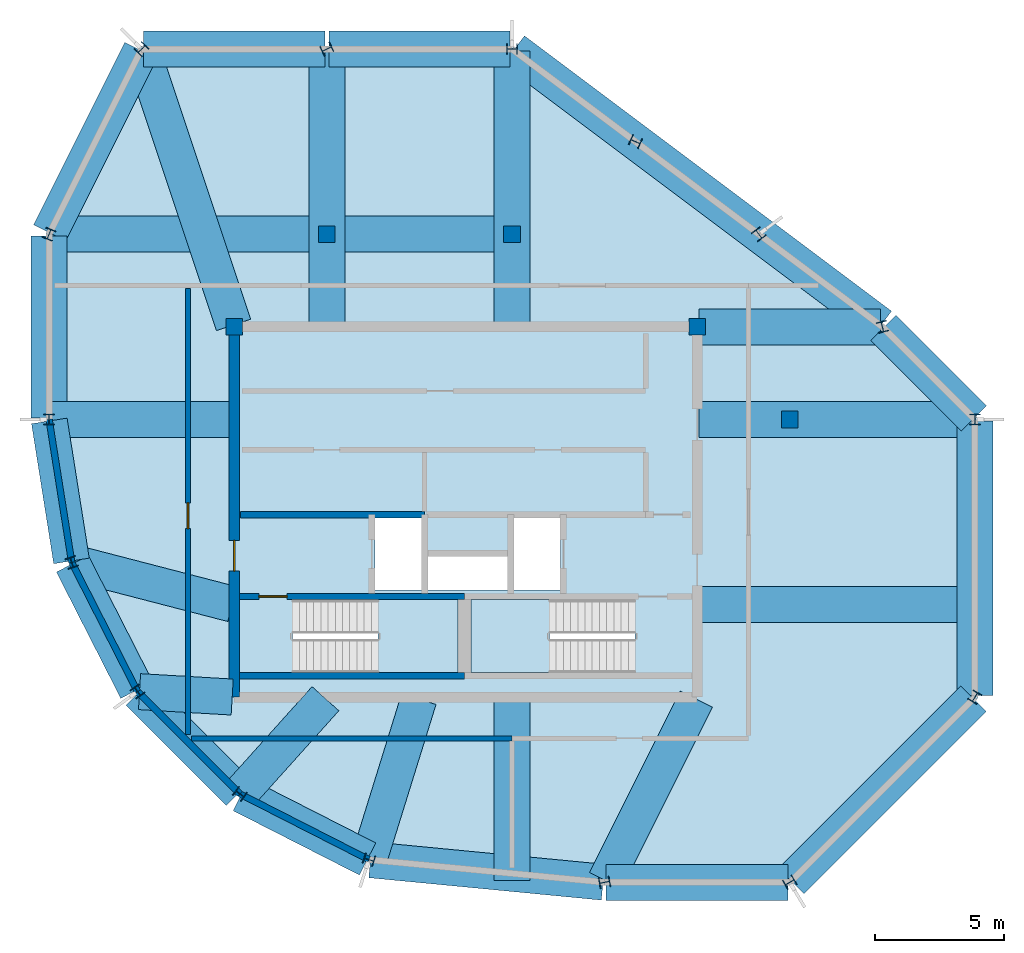
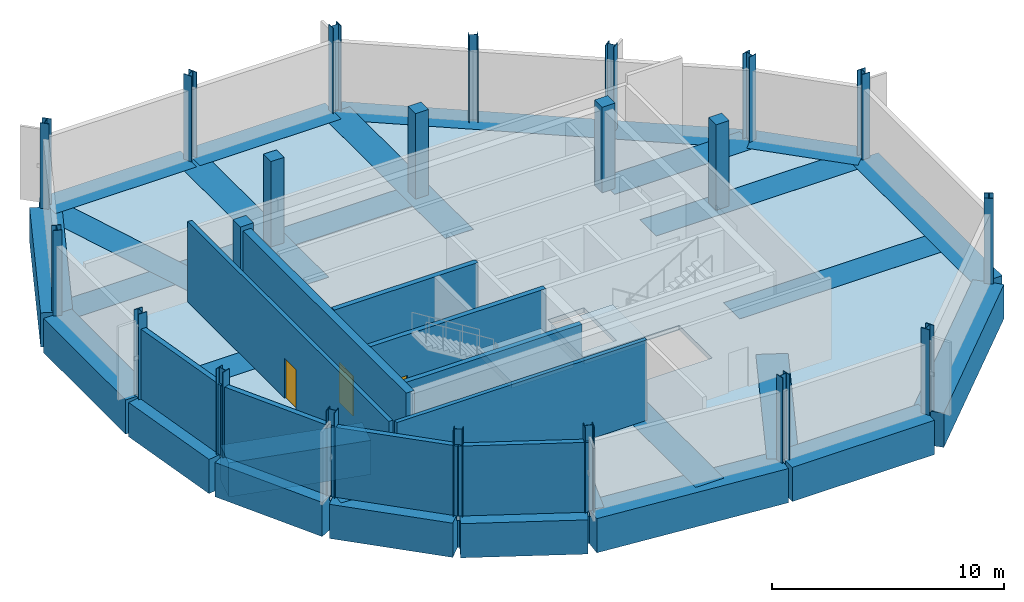
# One storey, part 1 of 5: 28 beams, 21 columns, 10 walls, 3 doors, 3 slabs, 3 openings, 2 elements without a shape of their own.
"""IFC4 building model written with IfcOpenShell, lengths in metres."""

from ifc_helpers import new_model, si_unit, direction, frame, frame_2d, origin, origin_2d, place, context, subcontext, project, spatial, polyline, rectangle, i_section, outline, extrude, material, layer, layer_set, material_profile, profile_set, type_object, element, fill, aggregate, save


model = new_model("IFC4")

# Units and contexts
model_context = context("Model", 3, precision=1e-05, world=origin(), true_north=direction((0.0, 1.0)))
body_context = subcontext(model_context, "Body", "Model", "MODEL_VIEW")
ifc_project = project(units=[si_unit("LENGTHUNIT", "METRE"), si_unit("AREAUNIT", "SQUARE_METRE"), si_unit("VOLUMEUNIT", "CUBIC_METRE"), si_unit("PLANEANGLEUNIT", "RADIAN"), si_unit("MASSUNIT", "GRAM", prefix="KILO")], contexts=[model_context])

# Site, building, storey
site_placement = place(None, origin())
site = spatial("IfcSite", under=ifc_project, at=site_placement, CompositionType="ELEMENT")
building_placement = place(site_placement, origin())
building = spatial("IfcBuilding", under=site, at=building_placement, Name="Solnavia Interchange Tower", CompositionType="ELEMENT")
storey_placement = place(building_placement, frame((0.0, 0.0, 304.199951171875)))
storey = spatial("IfcBuildingStorey", under=building, at=storey_placement, Name="C01", CompositionType="ELEMENT", Elevation=304.199951171875)

# Columns
ifc_material_1 = material(Name="Concrete C50/60", Category="concrete")
ifc_material_profile_1 = material_profile(ifc_material_1, rectangle(XDim=0.64990234375, YDim=0.64990234375, at=origin_2d()), Name="RC 650x650")
ifc_profile_set_1 = profile_set([ifc_material_profile_1], Name="Concrete C50/60")
column_type_1 = type_object("IfcColumnType", Name="Col-RC-650x650", PredefinedType="COLUMN", material=ifc_profile_set_1)
for number, where, z_axis, x_axis, name in (
    (1, (36.0, 21.60009765625, 0.0), (0.0, 0.0, 1.0), (1.0, 0.0, 0.0), "COL-C01-IN01 Crown inner plant column"),
    (2, (32.39990234375, 25.199951171875, 0.0), (0.0, 0.0, 1.0), (1.0, 0.0, 0.0), "COL-C01-IN02 Crown inner plant column"),
    (3, (25.199951171875, 28.800048828125, 0.0), (0.0, 0.0, 1.0), (1.0, 0.0, 0.0), "COL-C01-IN03 Crown inner plant column"),
    (4, (18.0, 28.800048828125, 0.0), (0.0, 0.0, 1.0), (1.0, 0.0, 0.0), "COL-C01-IN04 Crown inner plant column"),
    (5, (14.39990234375, 25.199951171875, 0.0), (0.0, 0.0, 1.0), (1.0, 0.0, 0.0), "COL-C01-IN05 Crown inner plant column"),
):
    element("IfcColumn", number, at=place(storey_placement, frame(where, z_axis=z_axis, x_axis=x_axis)), inside=storey, type_object=column_type_1, Name=name, PredefinedType="COLUMN", context=body_context, shape_type="SweptSolid", body=[
        extrude(rectangle(XDim=0.64990234375, YDim=0.64990234375, at=origin_2d()), origin(), (0.0, 0.0, 1.0), 4.5),
    ])
ifc_material_2 = material(Name="Steel S460", Category="steel")
ifc_material_profile_2 = material_profile(ifc_material_2, i_section(OverallWidth=0.405029296875, OverallDepth=0.4169921875, WebThickness=0.01806640625, FlangeThickness=0.028564453125, FilletRadius=0.014892578125, at=origin_2d()), Name="HD 400x262")
ifc_profile_set_2 = profile_set([ifc_material_profile_2], Name="Steel S460")
column_type_2 = type_object("IfcColumnType", Name="CrownFrame-Col-HD400x262", PredefinedType="COLUMN", material=ifc_profile_set_2)
for number, where, z_axis, x_axis, name in (
    (6, (43.199951171875, 21.60009765625, 0.0), (0.0, 0.0, 1.0), (1.0, 0.0, 0.0), "COL-C01-CF01 CROWN FRAME ring column"),
    (7, (39.60009765625, 25.199951171875, 0.0), (0.0, 0.0, 1.0), (0.97012659649, 0.242599230795, 0.0), "COL-C01-CF02 CROWN FRAME ring column"),
    (8, (34.800048828125, 28.800048828125, 0.0), (0.0, 0.0, 1.0), (0.799998928149, 0.600001429133, 0.0), "COL-C01-CF03 CROWN FRAME ring column"),
    (9, (30.0, 32.39990234375, 0.0), (0.0, 0.0, 1.0), (0.406098768964, 0.913829190738, 0.0), "COL-C01-CF04 CROWN FRAME ring column"),
    (10, (25.199951171875, 36.0, 0.0), (0.0, 0.0, 1.0), (0.0, 1.0, 0.0), "COL-C01-CF05 CROWN FRAME ring column"),
    (11, (18.0, 36.0, 0.0), (0.0, 0.0, 1.0), (-0.447290848419, 0.89438856037, 0.0), "COL-C01-CF06 CROWN FRAME ring column"),
    (12, (10.800048828125, 36.0, 0.0), (0.0, 0.0, 1.0), (-0.707106781187, 0.707106781187, 0.0), "COL-C01-CF07 CROWN FRAME ring column"),
    (13, (7.199951171875, 28.800048828125, 0.0), (0.0, 0.0, 1.0), (-0.928485826881, 0.37136783555, 0.0), "COL-C01-CF08 CROWN FRAME ring column"),
    (14, (7.199951171875, 21.60009765625, 0.0), (0.0, 0.0, 1.0), (-1.0, 0.0, 0.0), "COL-C01-CF09 CROWN FRAME ring column"),
    (15, (8.0810546875, 16.0380859375, 0.0), (0.0, 0.0, 1.0), (-0.951056516295, -0.309016994375, 0.0), "COL-C01-CF10 CROWN FRAME ring column"),
    (16, (10.637939453125, 11.02001953125, 0.0), (0.0, 0.0, 1.0), (-0.809016994375, -0.587785252292, 0.0), "COL-C01-CF11 CROWN FRAME ring column"),
    (17, (14.6201171875, 7.0380859375, 0.0), (0.0, 0.0, 1.0), (-0.587785252292, -0.809016994375, 0.0), "COL-C01-CF12 CROWN FRAME ring column"),
    (18, (19.637939453125, 4.48095703125, 0.0), (0.0, 0.0, 1.0), (-0.309016994375, -0.951056516295, 0.0), "COL-C01-CF13 CROWN FRAME ring column"),
    (19, (28.800048828125, 3.60009765625, 0.0), (0.0, 0.0, 1.0), (0.196117290802, -0.980580444557, 0.0), "COL-C01-CF14 CROWN FRAME ring column"),
    (20, (36.0, 3.60009765625, 0.0), (0.0, 0.0, 1.0), (0.514439533782, -0.857526656194, 0.0), "COL-C01-CF15 CROWN FRAME ring column"),
    (21, (43.199951171875, 10.800048828125, 0.0), (0.0, 0.0, 1.0), (0.857526656194, -0.514439533782, 0.0), "COL-C01-CF16 CROWN FRAME ring column"),
):
    element("IfcColumn", number, at=place(storey_placement, frame(where, z_axis=z_axis, x_axis=x_axis)), inside=storey, type_object=column_type_2, Name=name, PredefinedType="COLUMN", context=body_context, shape_type="SweptSolid", body=[
        extrude(i_section(OverallWidth=0.405029296875, OverallDepth=0.4169921875, WebThickness=0.01806640625, FlangeThickness=0.028564453125, FilletRadius=0.014892578125, at=origin_2d()), origin(), (0.0, 0.0, 1.0), 4.5),
    ])

# Beams
ifc_material_3 = material(Name="Concrete C60/75", Category="concrete")
ifc_material_profile_3 = material_profile(ifc_material_3, rectangle(XDim=1.39990234375, YDim=1.800048828125, at=origin_2d()), Name="RC 1400x1800")
ifc_profile_set_3 = profile_set([ifc_material_profile_3], Name="Concrete C60/75")
beam_type = type_object("IfcBeamType", Name="Beam-Transfer-RC1400x1800", PredefinedType="BEAM", material=ifc_profile_set_3)
beam_1_placement = place(storey_placement, frame((39.535888671875, 25.248046875, -0.89990234375), z_axis=(-0.800003284411, 0.599995620761, 0.0), x_axis=(-0.599995620761, -0.800003284411, 0.0)))
element("IfcBeam", 22, at=beam_1_placement, inside=storey, type_object=beam_type, Name="TRB-C01-01 Crown base primary transfer girder", PredefinedType="BEAM", context=body_context, shape_type="SweptSolid", body=[
    extrude(rectangle(XDim=1.39990234375, YDim=1.800048828125, at=origin_2d()), origin(), (0.0, 0.0, 1.0), 17.83984375),
])
beam_2_placement = place(storey_placement, frame((32.47998046875, 25.199951171875, -0.89990234375), z_axis=(1.0, 0.0, 0.0), x_axis=(0.0, 1.0, 0.0)))
element("IfcBeam", 23, at=beam_2_placement, inside=storey, type_object=beam_type, Name="TRB-C01-02 Crown base primary transfer girder", PredefinedType="BEAM", context=body_context, shape_type="SweptSolid", body=[
    extrude(rectangle(XDim=1.39990234375, YDim=1.800048828125, at=origin_2d()), origin(), (0.0, 0.0, 1.0), 7.0400390625),
])
for number, where, z_axis, x_axis, name in (
    (24, (25.199951171875, 25.280029296875, -0.89990234375), (0.0, 1.0, 0.0), (-1.0, 0.0, 0.0), "TRB-C01-03 Crown base primary transfer girder"),
    (25, (18.0, 25.280029296875, -0.89990234375), (0.0, 1.0, 0.0), (-1.0, 0.0, 0.0), "TRB-C01-04 Crown base primary transfer girder"),
):
    element("IfcBeam", number, at=place(storey_placement, frame(where, z_axis=z_axis, x_axis=x_axis)), inside=storey, type_object=beam_type, Name=name, PredefinedType="BEAM", context=body_context, shape_type="SweptSolid", body=[
        extrude(rectangle(XDim=1.39990234375, YDim=1.800048828125, at=origin_2d()), origin(), (0.0, 0.0, 1.0), 10.639892578125),
    ])
beam_3_placement = place(storey_placement, frame((14.374755859375, 25.27587890625, -0.89990234375), z_axis=(-0.316240816712, 0.948678947719, 0.0), x_axis=(-0.948678947719, -0.316240816712, 0.0)))
element("IfcBeam", 26, at=beam_3_placement, inside=storey, type_object=beam_type, Name="TRB-C01-05 Crown base primary transfer girder", PredefinedType="BEAM", context=body_context, shape_type="SweptSolid", body=[
    extrude(rectangle(XDim=1.39990234375, YDim=1.800048828125, at=origin_2d()), origin(), (0.0, 0.0, 1.0), 11.22412109375),
])
for number, where, z_axis, x_axis, name in (
    (27, (10.8798828125, 36.0, -0.89990234375), (1.0, 0.0, 0.0), (0.0, 1.0, 0.0), "TRB-C01-06 Crown base primary transfer girder"),
    (28, (18.080078125, 36.0, -0.89990234375), (1.0, 0.0, 0.0), (0.0, 1.0, 0.0), "TRB-C01-07 Crown base primary transfer girder"),
):
    element("IfcBeam", number, at=place(storey_placement, frame(where, z_axis=z_axis, x_axis=x_axis)), inside=storey, type_object=beam_type, Name=name, PredefinedType="BEAM", context=body_context, shape_type="SweptSolid", body=[
        extrude(rectangle(XDim=1.39990234375, YDim=1.800048828125, at=origin_2d()), origin(), (0.0, 0.0, 1.0), 7.0400390625),
    ])
beam_4_placement = place(storey_placement, frame((7.280029296875, 28.800048828125, -0.89990234375), z_axis=(1.0, 0.0, 0.0), x_axis=(0.0, 1.0, 0.0)))
element("IfcBeam", 29, at=beam_4_placement, inside=storey, type_object=beam_type, Name="TRB-C01-08 Crown base primary transfer girder", PredefinedType="BEAM", context=body_context, shape_type="SweptSolid", body=[
    extrude(rectangle(XDim=1.39990234375, YDim=1.800048828125, at=origin_2d()), origin(), (0.0, 0.0, 1.0), 17.840087890625),
])
beam_5_placement = place(storey_placement, frame((7.280029296875, 21.60009765625, -0.89990234375), z_axis=(1.0, 0.0, 0.0), x_axis=(0.0, 1.0, 0.0)))
element("IfcBeam", 30, at=beam_5_placement, inside=storey, type_object=beam_type, Name="TRB-C01-09 Crown base primary transfer girder", PredefinedType="BEAM", context=body_context, shape_type="SweptSolid", body=[
    extrude(rectangle(XDim=1.39990234375, YDim=1.800048828125, at=origin_2d()), origin(), (0.0, 0.0, 1.0), 7.0400390625),
])
beam_6_placement = place(storey_placement, frame((32.47998046875, 21.60009765625, -0.89990234375), z_axis=(1.0, 0.0, 0.0), x_axis=(0.0, 1.0, 0.0)))
element("IfcBeam", 31, at=beam_6_placement, inside=storey, type_object=beam_type, Name="TRB-C01-10 Crown base primary transfer girder", PredefinedType="BEAM", context=body_context, shape_type="SweptSolid", body=[
    extrude(rectangle(XDim=1.39990234375, YDim=1.800048828125, at=origin_2d()), origin(), (0.0, 0.0, 1.0), 10.64013671875),
])
beam_7_placement = place(storey_placement, frame((8.158447265625, 16.017822265625, -0.89990234375), z_axis=(0.968013454296, -0.250898290752, 0.0), x_axis=(0.250898290752, 0.968013454296, 0.0)))
element("IfcBeam", 32, at=beam_7_placement, inside=storey, type_object=beam_type, Name="TRB-C01-11 Crown base primary transfer girder", PredefinedType="BEAM", context=body_context, shape_type="SweptSolid", body=[
    extrude(rectangle(XDim=1.39990234375, YDim=1.800048828125, at=origin_2d()), origin(), (0.0, 0.0, 1.0), 6.36767578125),
])
beam_8_placement = place(storey_placement, frame((10.718017578125, 11.015380859375, -0.89990234375), z_axis=(0.998293684387, -0.058392805316, 0.0), x_axis=(0.058392805316, 0.998293684387, 0.0)))
element("IfcBeam", 33, at=beam_8_placement, inside=storey, type_object=beam_type, Name="TRB-C01-12 Crown base primary transfer girder", PredefinedType="BEAM", context=body_context, shape_type="SweptSolid", body=[
    extrude(rectangle(XDim=1.39990234375, YDim=1.800048828125, at=origin_2d()), origin(), (0.0, 0.0, 1.0), 3.608154296875),
])
beam_9_placement = place(storey_placement, frame((14.673583984375, 7.097412109375, -0.89990234375), z_axis=(0.668308965811, 0.74388381231, 0.0), x_axis=(-0.74388381231, 0.668308965811, 0.0)))
element("IfcBeam", 34, at=beam_9_placement, inside=storey, type_object=beam_type, Name="TRB-C01-13 Crown base primary transfer girder", PredefinedType="BEAM", context=body_context, shape_type="SweptSolid", body=[
    extrude(rectangle(XDim=1.39990234375, YDim=1.800048828125, at=origin_2d()), origin(), (0.0, 0.0, 1.0), 4.8974609375),
])
beam_10_placement = place(storey_placement, frame((19.66162109375, 4.557373046875, -0.89990234375), z_axis=(0.29655857839, 0.955014664591, 0.0), x_axis=(-0.955014664591, 0.29655857839, 0.0)))
element("IfcBeam", 35, at=beam_10_placement, inside=storey, type_object=beam_type, Name="TRB-C01-14 Crown base primary transfer girder", PredefinedType="BEAM", context=body_context, shape_type="SweptSolid", body=[
    extrude(rectangle(XDim=1.39990234375, YDim=1.800048828125, at=origin_2d()), origin(), (0.0, 0.0, 1.0), 6.456787109375),
])
beam_11_placement = place(storey_placement, frame((25.199951171875, 3.679931640625, -0.89990234375), z_axis=(0.0, 1.0, 0.0), x_axis=(-1.0, 0.0, 0.0)))
element("IfcBeam", 36, at=beam_11_placement, inside=storey, type_object=beam_type, Name="TRB-C01-15 Crown base primary transfer girder", PredefinedType="BEAM", context=body_context, shape_type="SweptSolid", body=[
    extrude(rectangle(XDim=1.39990234375, YDim=1.800048828125, at=origin_2d()), origin(), (0.0, 0.0, 1.0), 7.0400390625),
])
beam_12_placement = place(storey_placement, frame((28.835693359375, 3.671630859375, -0.89990234375), z_axis=(0.447225972845, 0.89442100222, 0.0), x_axis=(-0.89442100222, 0.447225972845, 0.0)))
element("IfcBeam", 37, at=beam_12_placement, inside=storey, type_object=beam_type, Name="TRB-C01-16 Crown base primary transfer girder", PredefinedType="BEAM", context=body_context, shape_type="SweptSolid", body=[
    extrude(rectangle(XDim=1.39990234375, YDim=1.800048828125, at=origin_2d()), origin(), (0.0, 0.0, 1.0), 7.889892578125),
])
beam_13_placement = place(storey_placement, frame((36.056640625, 3.656494140625, -0.89990234375), z_axis=(0.707094601135, 0.707118961028, 0.0), x_axis=(-0.707118961028, 0.707094601135, 0.0)))
element("IfcBeam", 38, at=beam_13_placement, inside=storey, type_object=beam_type, Name="TRB-C01-17 Crown base primary transfer girder", PredefinedType="BEAM", context=body_context, shape_type="SweptSolid", body=[
    extrude(rectangle(XDim=1.39990234375, YDim=1.800048828125, at=origin_2d()), origin(), (0.0, 0.0, 1.0), 10.022216796875),
])
beam_14_placement = place(storey_placement, frame((32.47998046875, 14.39990234375, -0.89990234375), z_axis=(1.0, 0.0, 0.0), x_axis=(0.0, 1.0, 0.0)))
element("IfcBeam", 39, at=beam_14_placement, inside=storey, type_object=beam_type, Name="TRB-C01-18 Crown base primary transfer girder", PredefinedType="BEAM", context=body_context, shape_type="SweptSolid", body=[
    extrude(rectangle(XDim=1.39990234375, YDim=1.800048828125, at=origin_2d()), origin(), (0.0, 0.0, 1.0), 10.64013671875),
])
beam_15_placement = place(storey_placement, frame((43.15771484375, 21.642333984375, -0.89990234375), z_axis=(-0.707106781187, 0.707106781187, 0.0), x_axis=(-0.707106781187, -0.707106781187, 0.0)))
element("IfcBeam", 40, at=beam_15_placement, inside=storey, type_object=beam_type, Name="TRB-C01-RG19 Crown base ring transfer girder", PredefinedType="BEAM", context=body_context, shape_type="SweptSolid", body=[
    extrude(rectangle(XDim=1.39990234375, YDim=1.800048828125, at=origin_2d()), origin(), (0.0, 0.0, 1.0), 4.971435546875),
])
beam_16_placement = place(storey_placement, frame((10.773193359375, 35.9462890625, -0.89990234375), z_axis=(-0.447225910642, -0.894421033323, 0.0), x_axis=(0.894421033323, -0.447225910642, 0.0)))
element("IfcBeam", 41, at=beam_16_placement, inside=storey, type_object=beam_type, Name="TRB-C01-RG20 Crown base ring transfer girder", PredefinedType="BEAM", context=body_context, shape_type="SweptSolid", body=[
    extrude(rectangle(XDim=1.39990234375, YDim=1.800048828125, at=origin_2d()), origin(), (0.0, 0.0, 1.0), 7.9296875),
])
beam_17_placement = place(storey_placement, frame((7.199951171875, 28.739990234375, -0.89990234375), z_axis=(0.0, -1.0, 0.0), x_axis=(1.0, 0.0, 0.0)))
element("IfcBeam", 42, at=beam_17_placement, inside=storey, type_object=beam_type, Name="TRB-C01-RG21 Crown base ring transfer girder", PredefinedType="BEAM", context=body_context, shape_type="SweptSolid", body=[
    extrude(rectangle(XDim=1.39990234375, YDim=1.800048828125, at=origin_2d()), origin(), (0.0, 0.0, 1.0), 7.080078125),
])
beam_18_placement = place(storey_placement, frame((7.20947265625, 21.540771484375, -0.89990234375), z_axis=(0.156419794354, -0.987690664092, 0.0), x_axis=(0.987690664092, 0.156419794354, 0.0)))
element("IfcBeam", 43, at=beam_18_placement, inside=storey, type_object=beam_type, Name="TRB-C01-RG22 Crown base ring transfer girder", PredefinedType="BEAM", context=body_context, shape_type="SweptSolid", body=[
    extrude(rectangle(XDim=1.39990234375, YDim=1.800048828125, at=origin_2d()), origin(), (0.0, 0.0, 1.0), 5.51123046875),
])
beam_19_placement = place(storey_placement, frame((8.108154296875, 15.984619140625, -0.89990234375), z_axis=(0.454039237353, -0.890981689455, 0.0), x_axis=(0.890981689455, 0.454039237353, 0.0)))
element("IfcBeam", 44, at=beam_19_placement, inside=storey, type_object=beam_type, Name="TRB-C01-RG23 Crown base ring transfer girder", PredefinedType="BEAM", context=body_context, shape_type="SweptSolid", body=[
    extrude(rectangle(XDim=1.39990234375, YDim=1.800048828125, at=origin_2d()), origin(), (0.0, 0.0, 1.0), 5.511962890625),
])
beam_20_placement = place(storey_placement, frame((10.680419921875, 10.9775390625, -0.89990234375), z_axis=(0.707106781187, -0.707106781187, 0.0), x_axis=(0.707106781187, 0.707106781187, 0.0)))
element("IfcBeam", 45, at=beam_20_placement, inside=storey, type_object=beam_type, Name="TRB-C01-RG24 Crown base ring transfer girder", PredefinedType="BEAM", context=body_context, shape_type="SweptSolid", body=[
    extrude(rectangle(XDim=1.39990234375, YDim=1.800048828125, at=origin_2d()), origin(), (0.0, 0.0, 1.0), 5.511474609375),
])
beam_21_placement = place(storey_placement, frame((14.673583984375, 7.0107421875, -0.89990234375), z_axis=(0.890990476895, -0.454021992949, 0.0), x_axis=(0.454021992949, 0.890990476895, 0.0)))
element("IfcBeam", 46, at=beam_21_placement, inside=storey, type_object=beam_type, Name="TRB-C01-RG25 Crown base ring transfer girder", PredefinedType="BEAM", context=body_context, shape_type="SweptSolid", body=[
    extrude(rectangle(XDim=1.39990234375, YDim=1.800048828125, at=origin_2d()), origin(), (0.0, 0.0, 1.0), 5.51171875),
])
beam_22_placement = place(storey_placement, frame((19.69775390625, 4.475341796875, -0.89990234375), z_axis=(0.995407354781, -0.095729817963, 0.0), x_axis=(0.095729817963, 0.995407354781, 0.0)))
element("IfcBeam", 47, at=beam_22_placement, inside=storey, type_object=beam_type, Name="TRB-C01-RG26 Crown base ring transfer girder", PredefinedType="BEAM", context=body_context, shape_type="SweptSolid", body=[
    extrude(rectangle(XDim=1.39990234375, YDim=1.800048828125, at=origin_2d()), origin(), (0.0, 0.0, 1.0), 9.084228515625),
])
beam_23_placement = place(storey_placement, frame((28.860107421875, 3.60009765625, -0.89990234375), z_axis=(1.0, 0.0, 0.0), x_axis=(0.0, 1.0, 0.0)))
element("IfcBeam", 48, at=beam_23_placement, inside=storey, type_object=beam_type, Name="TRB-C01-RG27 Crown base ring transfer girder", PredefinedType="BEAM", context=body_context, shape_type="SweptSolid", body=[
    extrude(rectangle(XDim=1.39990234375, YDim=1.800048828125, at=origin_2d()), origin(), (0.0, 0.0, 1.0), 7.079833984375),
])
beam_24_placement = place(storey_placement, frame((43.199951171875, 10.860107421875, -0.89990234375), z_axis=(0.0, 1.0, 0.0), x_axis=(-1.0, 0.0, 0.0)))
element("IfcBeam", 49, at=beam_24_placement, inside=storey, type_object=beam_type, Name="TRB-C01-RG28 Crown base ring transfer girder", PredefinedType="BEAM", context=body_context, shape_type="SweptSolid", body=[
    extrude(rectangle(XDim=1.39990234375, YDim=1.800048828125, at=origin_2d()), origin(), (0.0, 0.0, 1.0), 10.679931640625),
])

# Stair, slab
ifc_material_4 = material(Name="Concrete C40/50", Category="concrete")
stair_type = type_object("IfcStairType", Name="Stair-Dogleg-RC", PredefinedType="HALF_TURN_STAIR", material=ifc_material_4)
stair_1_placement = place(storey_placement, origin())
stair_1 = element("IfcStair", 50, at=stair_1_placement, inside=storey, type_object=stair_type, Name="C01 Core exit stair 1", PredefinedType="HALF_TURN_STAIR")
ifc_layer_1 = layer(ifc_material_4, 0.35009765625)
ifc_layer_set_1 = layer_set([ifc_layer_1], Name="Concrete C40/50")
slab_type_1 = type_object("IfcSlabType", Name="Slab-StairLanding-350", PredefinedType="LANDING", material=ifc_layer_set_1)
slab_1_placement = place(storey_placement, frame((0.0, 0.0, 1.900146484375)))
slab_1 = element("IfcSlab", 51, at=slab_1_placement, type_object=slab_type_1, Name="ST-1 landing 1", PredefinedType="LANDING", context=body_context, shape_type="SweptSolid", body=[
    extrude(outline(polyline([(19.988037109375, 11.75), (23.10009765625, 11.75), (23.10009765625, 14.590087890625), (19.988037109375, 14.590087890625), (19.988037109375, 11.75)])), origin(), (0.0, 0.0, 1.0), 0.349853515625),
])
aggregate(stair_1, [slab_1])

stair_2_placement = place(storey_placement, origin())
stair_2 = element("IfcStair", 52, at=stair_2_placement, inside=storey, type_object=stair_type, Name="C01 Core exit stair 2", PredefinedType="HALF_TURN_STAIR")
slab_2_placement = place(storey_placement, frame((0.0, 0.0, 1.900146484375)))
slab_2 = element("IfcSlab", 53, at=slab_2_placement, type_object=slab_type_1, Name="ST-2 landing 1", PredefinedType="LANDING", context=body_context, shape_type="SweptSolid", body=[
    extrude(outline(polyline([(23.60009765625, 11.75), (26.662109375, 11.75), (26.662109375, 14.590087890625), (23.60009765625, 14.590087890625), (23.60009765625, 11.75)])), origin(), (0.0, 0.0, 1.0), 0.349853515625),
])
aggregate(stair_2, [slab_2])

# Slab
ifc_layer_2 = layer(ifc_material_4, 0.25)
ifc_layer_set_2 = layer_set([ifc_layer_2], Name="Concrete C40/50")
slab_type_2 = type_object("IfcSlabType", Name="Slab-Tower-250", PredefinedType="FLOOR", material=ifc_layer_set_2)
slab_3_placement = place(storey_placement, frame((0.0, 0.0, -0.25)))
element("IfcSlab", 54, at=slab_3_placement, inside=storey, type_object=slab_type_2, Name="SLB-C01-01 Structural floor slab", PredefinedType="FLOOR", context=body_context, shape_type="SweptSolid", body=[
    extrude(outline(polyline([(43.300048828125, 21.64111328125), (43.300048828125, 10.759033203125), (36.041015625, 3.5), (28.794921875, 3.5), (19.610107421875, 4.383056640625), (14.56005859375, 6.9560546875), (10.555908203125, 10.9599609375), (7.985107421875, 16.007080078125), (7.10009765625, 21.592041015625), (7.10009765625, 28.823974609375), (10.738037109375, 36.10009765625), (25.23291015625, 36.10009765625), (30.06005859375, 32.47998046875), (34.860107421875, 28.8798828125), (39.666015625, 25.27587890625), (43.300048828125, 21.64111328125)]), holes=[polyline([(16.675048828125, 11.75), (23.10009765625, 11.75), (23.10009765625, 14.590087890625), (16.675048828125, 14.590087890625), (16.675048828125, 11.75)]), polyline([(23.60009765625, 11.75), (29.97509765625, 11.75), (29.97509765625, 14.590087890625), (23.60009765625, 14.590087890625), (23.60009765625, 11.75)]), polyline([(19.8798828125, 14.9599609375), (21.679931640625, 14.9599609375), (21.679931640625, 17.780029296875), (19.8798828125, 17.780029296875), (19.8798828125, 14.9599609375)]), polyline([(25.280029296875, 14.9599609375), (27.080078125, 14.9599609375), (27.080078125, 17.780029296875), (25.280029296875, 17.780029296875), (25.280029296875, 14.9599609375)]), polyline([(21.919921875, 14.9599609375), (25.02001953125, 14.9599609375), (25.02001953125, 16.280029296875), (21.919921875, 16.280029296875), (21.919921875, 14.9599609375)])]), origin(), (0.0, 0.0, 1.0), 0.25),
])

# Walls
ifc_layer_3 = layer(ifc_material_4, 0.25)
ifc_layer_set_3 = layer_set([ifc_layer_3], Name="Concrete C40/50")
wall_type_1 = type_object("IfcWallType", Name="Wall-ExtSpandrel-250", PredefinedType="STANDARD", material=ifc_layer_set_3)
wall_1_placement = place(storey_placement, frame((7.199951171875, 21.60009765625, 0.0), z_axis=(0.0, 0.0, 1.0), x_axis=(0.156463464287, -0.987683747129, 0.0)))
element("IfcWall", 55, at=wall_1_placement, inside=storey, type_object=wall_type_1, Name="EXW-C01-R09 Crown ring facade panel", PredefinedType="STANDARD", context=body_context, shape_type="SweptSolid", body=[
    extrude(rectangle(XDim=5.63134765625, YDim=0.25, at=frame_2d((2.815673828125, 0.0))), origin(), (0.0, 0.0, 1.0), 3.679931640625),
])
wall_2_placement = place(storey_placement, frame((8.0810546875, 16.0380859375, 0.0), z_axis=(0.0, 0.0, 1.0), x_axis=(0.453997861418, -0.891002773187, 0.0)))
element("IfcWall", 56, at=wall_2_placement, inside=storey, type_object=wall_type_1, Name="EXW-C01-R10 Crown ring facade panel", PredefinedType="STANDARD", context=body_context, shape_type="SweptSolid", body=[
    extrude(rectangle(XDim=5.6318359375, YDim=0.25, at=frame_2d((2.81591796875, 0.0))), origin(), (0.0, 0.0, 1.0), 3.679931640625),
])
wall_3_placement = place(storey_placement, frame((10.637939453125, 11.02001953125, 0.0), z_axis=(0.0, 0.0, 1.0), x_axis=(0.707128457283, -0.707085104426, 0.0)))
element("IfcWall", 57, at=wall_3_placement, inside=storey, type_object=wall_type_1, Name="EXW-C01-R11 Crown ring facade panel", PredefinedType="STANDARD", context=body_context, shape_type="SweptSolid", body=[
    extrude(rectangle(XDim=5.631591796875, YDim=0.25, at=frame_2d((2.81591796875, 0.0))), origin(), (0.0, 0.0, 1.0), 3.679931640625),
])
wall_4_placement = place(storey_placement, frame((14.6201171875, 7.0380859375, 0.0), z_axis=(0.0, 0.0, 1.0), x_axis=(0.890976300863, -0.454049811475, 0.0)))
element("IfcWall", 58, at=wall_4_placement, inside=storey, type_object=wall_type_1, Name="EXW-C01-R12 Crown ring facade panel", PredefinedType="STANDARD", context=body_context, shape_type="SweptSolid", body=[
    extrude(rectangle(XDim=5.6318359375, YDim=0.25, at=frame_2d((2.81591796875, 0.0))), origin(), (0.0, 0.0, 1.0), 3.679931640625),
])

# Wall, opening, door
ifc_layer_4 = layer(ifc_material_4, 0.199951171875)
ifc_layer_set_4 = layer_set([ifc_layer_4], Name="Concrete C40/50")
wall_type_2 = type_object("IfcWallType", Name="Wall-PlantFire-200", PredefinedType="PARTITIONING", material=ifc_layer_set_4)
wall_5_placement = place(storey_placement, frame((12.60009765625, 9.347900390625, 0.0), z_axis=(0.0, 0.0, 1.0), x_axis=(0.0, 1.0, 0.0)))
wall_5 = element("IfcWall", 59, at=wall_5_placement, inside=storey, type_object=wall_type_2, Name="PTW-C01-04 Interior partition wall", PredefinedType="PARTITIONING", context=body_context, shape_type="SweptSolid", body=[
    extrude(rectangle(XDim=17.34814453125, YDim=0.199951171875, at=frame_2d((8.674072265625, 0.0))), origin(), (0.0, 0.0, 1.0), 4.235107421875),
])
opening_1_placement = place(wall_5_placement, frame((8.010009765625, 0.0, 0.0)))
opening_1 = element("IfcOpeningElement", 60, at=opening_1_placement, cuts=wall_5, Name="Opening DR-04", PredefinedType="OPENING", context=body_context, shape_type="SweptSolid", body=[
    extrude(rectangle(XDim=1.0, YDim=2.10009765625, at=frame_2d((0.5, 1.050048828125))), frame((0.0, 0.10986328125, 0.0), z_axis=(0.0, -1.0, 0.0), x_axis=(1.0, 0.0, 0.0)), (0.0, 0.0, 1.0), 0.219970703125),
])
ifc_material_5 = material(Name="Steel Fire-Rated Plant Door", Category="steel")
door_type_1 = type_object("IfcDoorType", Name="Door-PlantFire-1000x2100", OperationType="SINGLE_SWING_LEFT", PredefinedType="DOOR", material=ifc_material_5)
door_1_placement = place(opening_1_placement, origin())
door_1 = element("IfcDoor", 61, at=door_1_placement, inside=storey, type_object=door_type_1, Name="DR-C01-02 Interior room door", OperationType="SINGLE_SWING_LEFT", OverallHeight=2.10009765625, OverallWidth=1.0, PredefinedType="DOOR", context=body_context, shape_type="SweptSolid", body=[
    extrude(rectangle(XDim=1.0, YDim=2.10009765625, at=frame_2d((0.5, 1.050048828125))), frame((0.0, 0.02490234375, 0.0), z_axis=(0.0, -1.0, 0.0), x_axis=(1.0, 0.0, 0.0)), (0.0, 0.0, 1.0), 0.050048828125),
])
fill(opening_1, door_1)

# Walls
wall_6_placement = place(storey_placement, frame((12.747802734375, 9.199951171875, 0.0), z_axis=(0.0, 0.0, 1.0), x_axis=(1.0, 0.0, 0.0)))
element("IfcWall", 62, at=wall_6_placement, inside=storey, type_object=wall_type_2, Name="PTW-C01-05 Interior partition wall", PredefinedType="PARTITIONING", context=body_context, shape_type="SweptSolid", body=[
    extrude(rectangle(XDim=12.4521484375, YDim=0.199951171875, at=frame_2d((6.22607421875, 0.0))), origin(), (0.0, 0.0, 1.0), 4.235107421875),
])
ifc_layer_5 = layer(ifc_material_4, 0.25)
ifc_layer_set_5 = layer_set([ifc_layer_5], Name="Concrete C40/50")
wall_type_3 = type_object("IfcWallType", Name="Wall-ShaftCore-250", PredefinedType="SHEAR", material=ifc_layer_set_5)
wall_7_placement = place(storey_placement, frame((14.60009765625, 11.625, 0.0), z_axis=(0.0, 0.0, 1.0), x_axis=(1.0, 0.0, 0.0)))
element("IfcWall", 63, at=wall_7_placement, inside=storey, type_object=wall_type_3, Name="SHW-C01-ST1S Core shear wall", PredefinedType="SHEAR", context=body_context, shape_type="SweptSolid", body=[
    extrude(rectangle(XDim=8.75, YDim=0.25, at=frame_2d((4.375, 0.0))), origin(), (0.0, 0.0, 1.0), 4.25),
])

# Wall, opening, door
wall_8_placement = place(storey_placement, frame((14.60009765625, 14.715087890625, 0.0), z_axis=(0.0, 0.0, 1.0), x_axis=(1.0, 0.0, 0.0)))
wall_8 = element("IfcWall", 64, at=wall_8_placement, inside=storey, type_object=wall_type_3, Name="SHW-C01-ST1N Core shear wall", PredefinedType="SHEAR", context=body_context, shape_type="SweptSolid", body=[
    extrude(rectangle(XDim=8.75, YDim=0.25, at=frame_2d((4.375, 0.0))), origin(), (0.0, 0.0, 1.0), 4.25),
])
opening_2_placement = place(wall_8_placement, frame((0.7548828125, 0.0, 0.0)))
opening_2 = element("IfcOpeningElement", 65, at=opening_2_placement, cuts=wall_8, Name="Opening DR-01", PredefinedType="OPENING", context=body_context, shape_type="SweptSolid", body=[
    extrude(rectangle(XDim=1.10009765625, YDim=2.10009765625, at=frame_2d((0.550048828125, 1.050048828125))), frame((0.0, 0.135009765625, 0.0), z_axis=(0.0, -1.0, 0.0), x_axis=(1.0, 0.0, 0.0)), (0.0, 0.0, 1.0), 0.27001953125),
])
ifc_material_6 = material(Name="Steel Fire-Rated Leaf & Frame", Category="steel")
door_type_2 = type_object("IfcDoorType", Name="Door-StairFire-1100x2100", OperationType="SINGLE_SWING_LEFT", PredefinedType="DOOR", material=ifc_material_6)
door_2_placement = place(opening_2_placement, origin())
door_2 = element("IfcDoor", 66, at=door_2_placement, inside=storey, type_object=door_type_2, Name="DR-C01-ST1 Core fire door", OperationType="SINGLE_SWING_LEFT", OverallHeight=2.10009765625, OverallWidth=1.10009765625, PredefinedType="DOOR", context=body_context, shape_type="SweptSolid", body=[
    extrude(rectangle(XDim=1.10009765625, YDim=2.10009765625, at=frame_2d((0.550048828125, 1.050048828125))), frame((0.0, 0.02490234375, 0.0), z_axis=(0.0, -1.0, 0.0), x_axis=(1.0, 0.0, 0.0)), (0.0, 0.0, 1.0), 0.050048828125),
])
fill(opening_2, door_2)

# Wall
ifc_layer_6 = layer(ifc_material_4, 0.25)
ifc_layer_set_6 = layer_set([ifc_layer_6], Name="Concrete C40/50")
wall_type_4 = type_object("IfcWallType", Name="Wall-ShaftPart-250", PredefinedType="PARTITIONING", material=ifc_layer_set_6)
wall_9_placement = place(storey_placement, frame((14.64990234375, 17.89990234375, 0.0), z_axis=(0.0, 0.0, 1.0), x_axis=(1.0, 0.0, 0.0)))
element("IfcWall", 67, at=wall_9_placement, inside=storey, type_object=wall_type_4, Name="SHW-C01-FFLW-N Core shaft wall", PredefinedType="PARTITIONING", context=body_context, shape_type="SweptSolid", body=[
    extrude(rectangle(XDim=7.150146484375, YDim=0.25, at=frame_2d((3.5751953125, 0.0))), origin(), (0.0, 0.0, 1.0), 4.235107421875),
])

# Wall, opening, door
ifc_layer_7 = layer(ifc_material_1, 0.39990234375)
ifc_layer_set_7 = layer_set([ifc_layer_7], Name="Concrete C50/60")
wall_type_5 = type_object("IfcWallType", Name="Wall-ShearCore-400", PredefinedType="SHEAR", material=ifc_layer_set_7)
wall_10_placement = place(storey_placement, frame((14.39990234375, 10.800048828125, 0.0), z_axis=(0.0, 0.0, 1.0), x_axis=(0.0, 1.0, 0.0)))
wall_10 = element("IfcWall", 68, at=wall_10_placement, inside=storey, type_object=wall_type_5, Name="CRW-C01-W Core shear wall", PredefinedType="SHEAR", context=body_context, shape_type="SweptSolid", body=[
    extrude(rectangle(XDim=14.39990234375, YDim=0.39990234375, at=frame_2d((7.199951171875, 0.0))), origin(), (0.0, 0.0, 1.0), 4.25),
])
opening_3_placement = place(wall_10_placement, frame((4.89990234375, 0.0, 0.0)))
opening_3 = element("IfcOpeningElement", 69, at=opening_3_placement, cuts=wall_10, Name="Opening DR-02", PredefinedType="OPENING", context=body_context, shape_type="SweptSolid", body=[
    extrude(rectangle(XDim=1.199951171875, YDim=2.10009765625, at=frame_2d((0.60009765625, 1.050048828125))), frame((0.0, 0.2099609375, 0.0), z_axis=(0.0, -1.0, 0.0), x_axis=(1.0, 0.0, 0.0)), (0.0, 0.0, 1.0), 0.419921875),
])
ifc_material_7 = material(Name="Steel Fire-Rated Vision-Panel Door", Category="steel")
door_type_3 = type_object("IfcDoorType", Name="Door-LobbyFire-1200x2100", OperationType="SINGLE_SWING_RIGHT", PredefinedType="DOOR", material=ifc_material_7)
door_3_placement = place(opening_3_placement, origin())
door_3 = element("IfcDoor", 70, at=door_3_placement, inside=storey, type_object=door_type_3, Name="DR-C01-FFL1W Core fire door", OperationType="SINGLE_SWING_RIGHT", OverallHeight=2.10009765625, OverallWidth=1.199951171875, PredefinedType="DOOR", context=body_context, shape_type="SweptSolid", body=[
    extrude(rectangle(XDim=1.199951171875, YDim=2.10009765625, at=frame_2d((0.60009765625, 1.050048828125))), frame((0.0, 0.02490234375, 0.0), z_axis=(0.0, -1.0, 0.0), x_axis=(1.0, 0.0, 0.0)), (0.0, 0.0, 1.0), 0.050048828125),
])
fill(opening_3, door_3)

save(model, "model.ifc")
